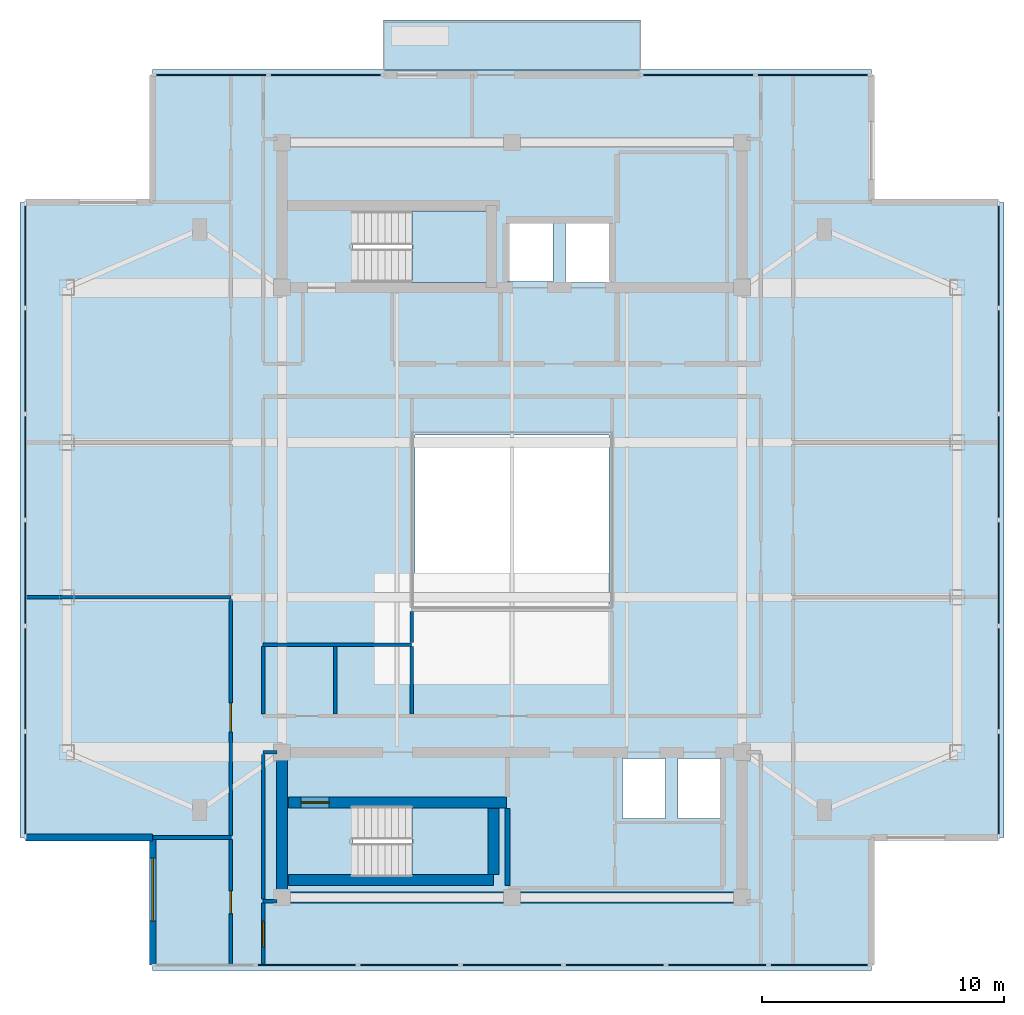
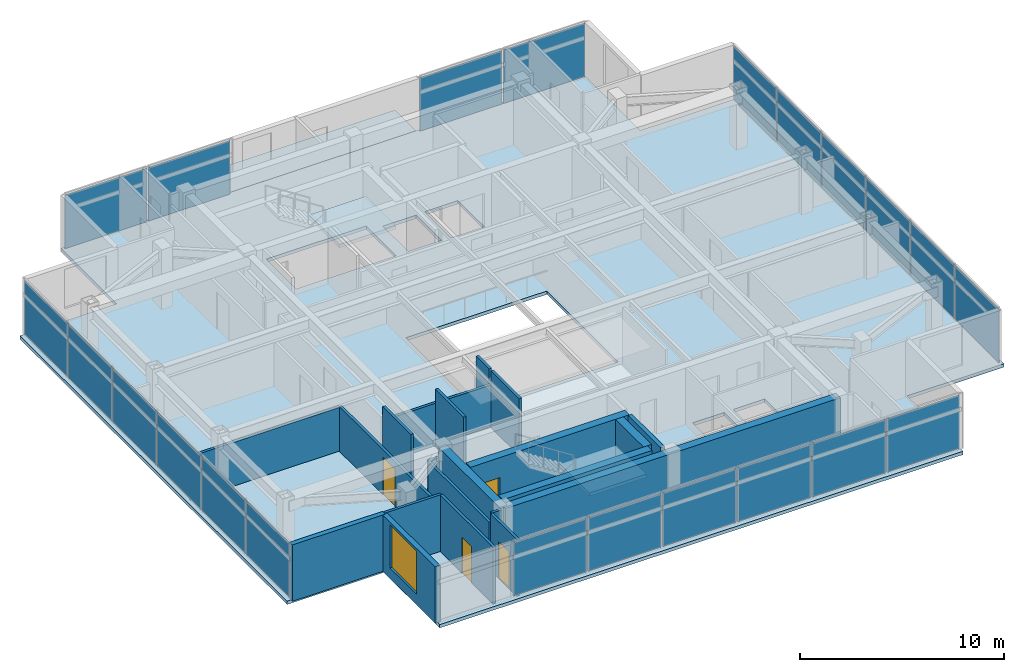
# One storey, part 5 of 12: 22 plates, 21 walls, 4 doors, 4 slabs, 1 window, 5 openings, 7 elements without a shape of their own.
"""IFC4 building model written with IfcOpenShell, lengths in metres."""

from ifc_helpers import new_model, si_unit, direction, frame, frame_2d, origin, origin_2d, place, context, subcontext, project, spatial, polyline, rectangle, outline, extrude, material, layer, layer_set, type_object, element, fill, aggregate, save


model = new_model("IFC4")

# Units and contexts
model_context = context("Model", 3, precision=1e-05, world=origin(), true_north=direction((0.0, 1.0)))
body_context = subcontext(model_context, "Body", "Model", "MODEL_VIEW")
ifc_project = project(units=[si_unit("LENGTHUNIT", "METRE"), si_unit("AREAUNIT", "SQUARE_METRE"), si_unit("VOLUMEUNIT", "CUBIC_METRE"), si_unit("PLANEANGLEUNIT", "RADIAN"), si_unit("MASSUNIT", "GRAM", prefix="KILO")], contexts=[model_context])

# Site, building, storey
site_placement = place(None, origin())
site = spatial("IfcSite", under=ifc_project, at=site_placement, CompositionType="ELEMENT")
building_placement = place(site_placement, origin())
building = spatial("IfcBuilding", under=site, at=building_placement, Name="Mirazonda Arch Towers", CompositionType="ELEMENT")
storey_placement = place(building_placement, frame((0.0, 0.0, 252.699951171875)))
storey = spatial("IfcBuildingStorey", under=building, at=storey_placement, Name="L72", CompositionType="ELEMENT", Elevation=252.699951171875)

# Curtain wall, plates
ifc_material_1 = material(Name="Anodised Aluminium and Low-E Glass", Category="aluminium")
curtain_wall_type = type_object("IfcCurtainWallType", Name="CW-OBS-LANTERN", PredefinedType="NOTDEFINED", material=ifc_material_1)
curtain_wall_1_placement = place(storey_placement, origin())
curtain_wall_1 = element("IfcCurtainWall", 1, at=curtain_wall_1_placement, inside=storey, type_object=curtain_wall_type, Name="L72 T1 S Facade CW-L72-T1-S", PredefinedType="NOTDEFINED")
ifc_material_2 = material(Name="Insulated Low-E Solar Glass", Category="glass")
ifc_layer_1 = layer(ifc_material_2, 0.048095703125, Name="PAN-CW-OBS-LANTERN")
ifc_layer_set_1 = layer_set([ifc_layer_1], Name="Insulated Low-E Solar Glass")
plate_type = type_object("IfcPlateType", Name="PAN-CW-OBS-LANTERN", PredefinedType="CURTAIN_PANEL", material=ifc_layer_set_1)
plate_1_placement = place(storey_placement, frame((33.201904296875, 9.612060546875, 0.08984375), z_axis=(0.0, 0.0, 1.0), x_axis=(-1.0, 0.0, 0.0)))
plate_1 = element("IfcPlate", 2, at=plate_1_placement, type_object=plate_type, Name="CW-110 panel 1.1", PredefinedType="CURTAIN_PANEL", context=body_context, shape_type="SweptSolid", body=[
    extrude(rectangle(XDim=4.1064453125, YDim=0.048095703125, at=origin_2d()), origin(), (0.0, 0.0, 1.0), 3.199951171875),
])
plate_2_placement = place(storey_placement, frame((28.98291015625, 9.612060546875, 0.08984375), z_axis=(0.0, 0.0, 1.0), x_axis=(-1.0, 0.0, 0.0)))
plate_2 = element("IfcPlate", 3, at=plate_2_placement, type_object=plate_type, Name="CW-110 panel 2.1", PredefinedType="CURTAIN_PANEL", context=body_context, shape_type="SweptSolid", body=[
    extrude(rectangle(XDim=4.1513671875, YDim=0.048095703125, at=origin_2d()), origin(), (0.0, 0.0, 1.0), 3.199951171875),
])
plate_3_placement = place(storey_placement, frame((24.741455078125, 9.612060546875, 0.08984375), z_axis=(0.0, 0.0, 1.0), x_axis=(-1.0, 0.0, 0.0)))
plate_3 = element("IfcPlate", 4, at=plate_3_placement, type_object=plate_type, Name="CW-110 panel 3.1", PredefinedType="CURTAIN_PANEL", context=body_context, shape_type="SweptSolid", body=[
    extrude(rectangle(XDim=4.1513671875, YDim=0.048095703125, at=origin_2d()), origin(), (0.0, 0.0, 1.0), 3.199951171875),
])
plate_4_placement = place(storey_placement, frame((20.5, 9.612060546875, 0.08984375), z_axis=(0.0, 0.0, 1.0), x_axis=(-1.0, 0.0, 0.0)))
plate_4 = element("IfcPlate", 5, at=plate_4_placement, type_object=plate_type, Name="CW-110 panel 4.1", PredefinedType="CURTAIN_PANEL", context=body_context, shape_type="SweptSolid", body=[
    extrude(rectangle(XDim=4.1513671875, YDim=0.048095703125, at=origin_2d()), origin(), (0.0, 0.0, 1.0), 3.199951171875),
])
plate_5_placement = place(storey_placement, frame((16.258544921875, 9.612060546875, 0.08984375), z_axis=(0.0, 0.0, 1.0), x_axis=(-1.0, 0.0, 0.0)))
plate_5 = element("IfcPlate", 6, at=plate_5_placement, type_object=plate_type, Name="CW-110 panel 5.1", PredefinedType="CURTAIN_PANEL", context=body_context, shape_type="SweptSolid", body=[
    extrude(rectangle(XDim=4.1513671875, YDim=0.048095703125, at=origin_2d()), origin(), (0.0, 0.0, 1.0), 3.199951171875),
])
plate_6_placement = place(storey_placement, frame((12.01708984375, 9.612060546875, 0.08984375), z_axis=(0.0, 0.0, 1.0), x_axis=(-1.0, 0.0, 0.0)))
plate_6 = element("IfcPlate", 7, at=plate_6_placement, type_object=plate_type, Name="CW-110 panel 6.1", PredefinedType="CURTAIN_PANEL", context=body_context, shape_type="SweptSolid", body=[
    extrude(rectangle(XDim=4.1513671875, YDim=0.048095703125, at=origin_2d()), origin(), (0.0, 0.0, 1.0), 3.199951171875),
])
aggregate(curtain_wall_1, [plate_1, plate_2, plate_3, plate_4, plate_5, plate_6])

curtain_wall_2_placement = place(storey_placement, origin())
curtain_wall_2 = element("IfcCurtainWall", 8, at=curtain_wall_2_placement, inside=storey, type_object=curtain_wall_type, Name="L72 T1 E Facade CW-L72-T1-E", PredefinedType="NOTDEFINED")
plate_7_placement = place(storey_placement, frame((40.610107421875, 17.086669921875, 0.08984375), z_axis=(0.0, 0.0, 1.0), x_axis=(0.0, 1.0, 0.0)))
plate_7 = element("IfcPlate", 9, at=plate_7_placement, type_object=plate_type, Name="CW-110 panel 1.1", PredefinedType="CURTAIN_PANEL", context=body_context, shape_type="SweptSolid", body=[
    extrude(rectangle(XDim=4.2392578125, YDim=0.048095703125, at=origin_2d()), origin(), (0.0, 0.0, 1.0), 3.199951171875),
])
plate_8_placement = place(storey_placement, frame((40.610107421875, 21.4384765625, 0.08984375), z_axis=(0.0, 0.0, 1.0), x_axis=(0.0, 1.0, 0.0)))
plate_8 = element("IfcPlate", 10, at=plate_8_placement, type_object=plate_type, Name="CW-110 panel 2.1", PredefinedType="CURTAIN_PANEL", context=body_context, shape_type="SweptSolid", body=[
    extrude(rectangle(XDim=4.284423828125, YDim=0.048095703125, at=origin_2d()), origin(), (0.0, 0.0, 1.0), 3.199951171875),
])
plate_9_placement = place(storey_placement, frame((40.610107421875, 25.812744140625, 0.08984375), z_axis=(0.0, 0.0, 1.0), x_axis=(0.0, 1.0, 0.0)))
plate_9 = element("IfcPlate", 11, at=plate_9_placement, type_object=plate_type, Name="CW-110 panel 3.1", PredefinedType="CURTAIN_PANEL", context=body_context, shape_type="SweptSolid", body=[
    extrude(rectangle(XDim=4.284423828125, YDim=0.048095703125, at=origin_2d()), origin(), (0.0, 0.0, 1.0), 3.199951171875),
])
plate_10_placement = place(storey_placement, frame((40.610107421875, 30.187255859375, 0.08984375), z_axis=(0.0, 0.0, 1.0), x_axis=(0.0, 1.0, 0.0)))
plate_10 = element("IfcPlate", 12, at=plate_10_placement, type_object=plate_type, Name="CW-110 panel 4.1", PredefinedType="CURTAIN_PANEL", context=body_context, shape_type="SweptSolid", body=[
    extrude(rectangle(XDim=4.284423828125, YDim=0.048095703125, at=origin_2d()), origin(), (0.0, 0.0, 1.0), 3.199951171875),
])
plate_11_placement = place(storey_placement, frame((40.610107421875, 34.5615234375, 0.08984375), z_axis=(0.0, 0.0, 1.0), x_axis=(0.0, 1.0, 0.0)))
plate_11 = element("IfcPlate", 13, at=plate_11_placement, type_object=plate_type, Name="CW-110 panel 5.1", PredefinedType="CURTAIN_PANEL", context=body_context, shape_type="SweptSolid", body=[
    extrude(rectangle(XDim=4.284423828125, YDim=0.048095703125, at=origin_2d()), origin(), (0.0, 0.0, 1.0), 3.199951171875),
])
plate_12_placement = place(storey_placement, frame((40.610107421875, 38.913330078125, 0.08984375), z_axis=(0.0, 0.0, 1.0), x_axis=(0.0, 1.0, 0.0)))
plate_12 = element("IfcPlate", 14, at=plate_12_placement, type_object=plate_type, Name="CW-110 panel 6.1", PredefinedType="CURTAIN_PANEL", context=body_context, shape_type="SweptSolid", body=[
    extrude(rectangle(XDim=4.2392578125, YDim=0.048095703125, at=origin_2d()), origin(), (0.0, 0.0, 1.0), 3.199951171875),
])
aggregate(curtain_wall_2, [plate_7, plate_8, plate_9, plate_10, plate_11, plate_12])

curtain_wall_3_placement = place(storey_placement, origin())
curtain_wall_3 = element("IfcCurtainWall", 15, at=curtain_wall_3_placement, inside=storey, type_object=curtain_wall_type, Name="L72 Curtain Wall CW-L72-T1-NA", PredefinedType="NOTDEFINED")
plate_13_placement = place(storey_placement, frame((8.066162109375, 46.387939453125, 0.08984375), z_axis=(0.0, 0.0, 1.0), x_axis=(1.0, 0.0, 0.0)))
plate_13 = element("IfcPlate", 16, at=plate_13_placement, type_object=plate_type, Name="CW-110 panel 1.1", PredefinedType="CURTAIN_PANEL", context=body_context, shape_type="SweptSolid", body=[
    extrude(rectangle(XDim=4.642578125, YDim=0.048095703125, at=origin_2d()), origin(), (0.0, 0.0, 1.0), 3.199951171875),
])
plate_14_placement = place(storey_placement, frame((12.798828125, 46.387939453125, 0.08984375), z_axis=(0.0, 0.0, 1.0), x_axis=(1.0, 0.0, 0.0)))
plate_14 = element("IfcPlate", 17, at=plate_14_placement, type_object=plate_type, Name="CW-110 panel 2.1", PredefinedType="CURTAIN_PANEL", context=body_context, shape_type="SweptSolid", body=[
    extrude(rectangle(XDim=4.642578125, YDim=0.048095703125, at=origin_2d()), origin(), (0.0, 0.0, 1.0), 3.199951171875),
])
aggregate(curtain_wall_3, [plate_13, plate_14])

curtain_wall_4_placement = place(storey_placement, origin())
curtain_wall_4 = element("IfcCurtainWall", 18, at=curtain_wall_4_placement, inside=storey, type_object=curtain_wall_type, Name="L72 Curtain Wall CW-L72-T1-NB", PredefinedType="NOTDEFINED")
plate_15_placement = place(storey_placement, frame((28.201171875, 46.387939453125, 0.08984375), z_axis=(0.0, 0.0, 1.0), x_axis=(1.0, 0.0, 0.0)))
plate_15 = element("IfcPlate", 19, at=plate_15_placement, type_object=plate_type, Name="CW-110 panel 1.1", PredefinedType="CURTAIN_PANEL", context=body_context, shape_type="SweptSolid", body=[
    extrude(rectangle(XDim=4.642578125, YDim=0.048095703125, at=origin_2d()), origin(), (0.0, 0.0, 1.0), 3.199951171875),
])
plate_16_placement = place(storey_placement, frame((32.933837890625, 46.387939453125, 0.08984375), z_axis=(0.0, 0.0, 1.0), x_axis=(1.0, 0.0, 0.0)))
plate_16 = element("IfcPlate", 20, at=plate_16_placement, type_object=plate_type, Name="CW-110 panel 2.1", PredefinedType="CURTAIN_PANEL", context=body_context, shape_type="SweptSolid", body=[
    extrude(rectangle(XDim=4.642578125, YDim=0.048095703125, at=origin_2d()), origin(), (0.0, 0.0, 1.0), 3.199951171875),
])
aggregate(curtain_wall_4, [plate_15, plate_16])

curtain_wall_5_placement = place(storey_placement, origin())
curtain_wall_5 = element("IfcCurtainWall", 21, at=curtain_wall_5_placement, inside=storey, type_object=curtain_wall_type, Name="L72 T1 W Facade CW-L72-T1-W", PredefinedType="NOTDEFINED")
plate_17_placement = place(storey_placement, frame((0.389892578125, 38.913330078125, 0.08984375), z_axis=(0.0, 0.0, 1.0), x_axis=(0.0, -1.0, 0.0)))
plate_17 = element("IfcPlate", 22, at=plate_17_placement, type_object=plate_type, Name="CW-110 panel 1.1", PredefinedType="CURTAIN_PANEL", context=body_context, shape_type="SweptSolid", body=[
    extrude(rectangle(XDim=4.2392578125, YDim=0.048095703125, at=origin_2d()), origin(), (0.0, 0.0, 1.0), 3.199951171875),
])
plate_18_placement = place(storey_placement, frame((0.389892578125, 34.5615234375, 0.08984375), z_axis=(0.0, 0.0, 1.0), x_axis=(0.0, -1.0, 0.0)))
plate_18 = element("IfcPlate", 23, at=plate_18_placement, type_object=plate_type, Name="CW-110 panel 2.1", PredefinedType="CURTAIN_PANEL", context=body_context, shape_type="SweptSolid", body=[
    extrude(rectangle(XDim=4.284423828125, YDim=0.048095703125, at=origin_2d()), origin(), (0.0, 0.0, 1.0), 3.199951171875),
])
plate_19_placement = place(storey_placement, frame((0.389892578125, 30.187255859375, 0.08984375), z_axis=(0.0, 0.0, 1.0), x_axis=(0.0, -1.0, 0.0)))
plate_19 = element("IfcPlate", 24, at=plate_19_placement, type_object=plate_type, Name="CW-110 panel 3.1", PredefinedType="CURTAIN_PANEL", context=body_context, shape_type="SweptSolid", body=[
    extrude(rectangle(XDim=4.284423828125, YDim=0.048095703125, at=origin_2d()), origin(), (0.0, 0.0, 1.0), 3.199951171875),
])
plate_20_placement = place(storey_placement, frame((0.389892578125, 25.812744140625, 0.08984375), z_axis=(0.0, 0.0, 1.0), x_axis=(0.0, -1.0, 0.0)))
plate_20 = element("IfcPlate", 25, at=plate_20_placement, type_object=plate_type, Name="CW-110 panel 4.1", PredefinedType="CURTAIN_PANEL", context=body_context, shape_type="SweptSolid", body=[
    extrude(rectangle(XDim=4.284423828125, YDim=0.048095703125, at=origin_2d()), origin(), (0.0, 0.0, 1.0), 3.199951171875),
])
plate_21_placement = place(storey_placement, frame((0.389892578125, 21.4384765625, 0.08984375), z_axis=(0.0, 0.0, 1.0), x_axis=(0.0, -1.0, 0.0)))
plate_21 = element("IfcPlate", 26, at=plate_21_placement, type_object=plate_type, Name="CW-110 panel 5.1", PredefinedType="CURTAIN_PANEL", context=body_context, shape_type="SweptSolid", body=[
    extrude(rectangle(XDim=4.284423828125, YDim=0.048095703125, at=origin_2d()), origin(), (0.0, 0.0, 1.0), 3.199951171875),
])
plate_22_placement = place(storey_placement, frame((0.389892578125, 17.086669921875, 0.08984375), z_axis=(0.0, 0.0, 1.0), x_axis=(0.0, -1.0, 0.0)))
plate_22 = element("IfcPlate", 27, at=plate_22_placement, type_object=plate_type, Name="CW-110 panel 6.1", PredefinedType="CURTAIN_PANEL", context=body_context, shape_type="SweptSolid", body=[
    extrude(rectangle(XDim=4.2392578125, YDim=0.048095703125, at=origin_2d()), origin(), (0.0, 0.0, 1.0), 3.199951171875),
])
aggregate(curtain_wall_5, [plate_17, plate_18, plate_19, plate_20, plate_21, plate_22])

# Stair, slab
ifc_material_3 = material(Name="Concrete C40/50", Category="concrete")
stair_type = type_object("IfcStairType", Name="STAIR-CORE-1400", PredefinedType="HALF_TURN_STAIR", material=ifc_material_3)
stair_1_placement = place(storey_placement, origin())
stair_1 = element("IfcStair", 28, at=stair_1_placement, inside=storey, type_object=stair_type, Name="L72 Protected Exit Stair ST-T1N", PredefinedType="HALF_TURN_STAIR")
ifc_layer_2 = layer(ifc_material_3, 0.18994140625, Name="SLAB-LANDING-190")
ifc_layer_set_2 = layer_set([ifc_layer_2], Name="Concrete C40/50")
slab_type_1 = type_object("IfcSlabType", Name="SLAB-LANDING-190", PredefinedType="LANDING", material=ifc_layer_set_2)
slab_1_placement = place(storey_placement, frame((0.0, 0.0, 1.60009765625)))
slab_1 = element("IfcSlab", 29, at=slab_1_placement, type_object=slab_type_1, Name="ST-T1N landing 1", PredefinedType="LANDING", context=body_context, shape_type="SweptSolid", body=[
    extrude(outline(polyline([(16.3701171875, 37.820068359375), (19.60009765625, 37.820068359375), (19.60009765625, 40.760009765625), (16.3701171875, 40.760009765625), (16.3701171875, 37.820068359375)])), origin(), (0.0, 0.0, 1.0), 0.199951171875),
])
aggregate(stair_1, [slab_1])

stair_2_placement = place(storey_placement, origin())
stair_2 = element("IfcStair", 30, at=stair_2_placement, inside=storey, type_object=stair_type, Name="L72 Protected Exit Stair ST-T1S", PredefinedType="HALF_TURN_STAIR")
slab_2_placement = place(storey_placement, frame((0.0, 0.0, 1.60009765625)))
slab_2 = element("IfcSlab", 31, at=slab_2_placement, type_object=slab_type_1, Name="ST-T1S landing 1", PredefinedType="LANDING", context=body_context, shape_type="SweptSolid", body=[
    extrude(outline(polyline([(16.3701171875, 13.25), (19.60009765625, 13.25), (19.60009765625, 16.18994140625), (16.3701171875, 16.18994140625), (16.3701171875, 13.25)])), origin(), (0.0, 0.0, 1.0), 0.199951171875),
])
aggregate(stair_2, [slab_2])

# Slabs
ifc_layer_3 = layer(ifc_material_3, 0.2099609375, Name="SLAB-TERRACE-210")
ifc_layer_set_3 = layer_set([ifc_layer_3], Name="Concrete C40/50")
slab_type_2 = type_object("IfcSlabType", Name="SLAB-TERRACE-210", PredefinedType="FLOOR", material=ifc_layer_set_3)
slab_3_placement = place(storey_placement, frame((0.0, 0.0, -0.2099609375)))
element("IfcSlab", 32, at=slab_3_placement, inside=storey, type_object=slab_type_2, Name="L72 T1 Spiralling Sky-Terrace Balcony Slab", PredefinedType="FLOOR", context=body_context, shape_type="SweptSolid", body=[
    extrude(outline(polyline([(15.199951171875, 46.597900390625), (25.800048828125, 46.597900390625), (25.800048828125, 48.657958984375), (15.199951171875, 48.657958984375), (15.199951171875, 46.597900390625)])), origin(), (0.0, 0.0, 1.0), 0.2099609375),
])
ifc_layer_4 = layer(ifc_material_3, 0.199951171875, Name="SLAB-TWR-200")
ifc_layer_set_4 = layer_set([ifc_layer_4], Name="Concrete C40/50")
slab_type_3 = type_object("IfcSlabType", Name="SLAB-TWR-200", PredefinedType="FLOOR", material=ifc_layer_set_4)
slab_4_placement = place(storey_placement, frame((0.0, 0.0, -0.199951171875)))
element("IfcSlab", 33, at=slab_4_placement, inside=storey, type_object=slab_type_3, Name="L72 Tower 1 Floor Slab", PredefinedType="FLOOR", context=body_context, shape_type="SweptSolid", body=[
    extrude(outline(polyline([(5.655029296875, 9.39208984375), (35.344970703125, 9.39208984375), (35.344970703125, 14.876953125), (40.830078125, 14.876953125), (40.830078125, 41.123046875), (35.344970703125, 41.123046875), (35.344970703125, 46.60791015625), (5.655029296875, 46.60791015625), (5.655029296875, 41.123046875), (0.169921875, 41.123046875), (0.169921875, 14.876953125), (5.655029296875, 14.876953125), (5.655029296875, 9.39208984375)]), holes=[polyline([(27.360107421875, 18.139892578125), (29.139892578125, 18.139892578125), (29.139892578125, 15.659912109375), (27.360107421875, 15.659912109375), (27.360107421875, 18.139892578125)]), polyline([(25.06005859375, 18.139892578125), (26.840087890625, 18.139892578125), (26.840087890625, 15.659912109375), (25.06005859375, 15.659912109375), (25.06005859375, 18.139892578125)]), polyline([(22.7099609375, 40.389892578125), (24.590087890625, 40.389892578125), (24.590087890625, 37.81005859375), (22.7099609375, 37.81005859375), (22.7099609375, 40.389892578125)]), polyline([(16.5, 31.5), (24.5, 31.5), (24.5, 24.5), (16.5, 24.5), (16.5, 31.5)]), polyline([(20.31005859375, 40.340087890625), (22.18994140625, 40.340087890625), (22.18994140625, 37.860107421875), (20.31005859375, 37.860107421875), (20.31005859375, 40.340087890625)]), polyline([(19.60009765625, 13.25), (13.925048828125, 13.25), (13.925048828125, 16.18994140625), (19.60009765625, 16.18994140625), (19.60009765625, 13.25)]), polyline([(13.925048828125, 37.820068359375), (13.925048828125, 40.760009765625), (19.60009765625, 40.760009765625), (19.60009765625, 37.820068359375), (13.925048828125, 37.820068359375)])]), origin(), (0.0, 0.0, 1.0), 0.199951171875),
])

# Walls
ifc_material_4 = material(Name="Concrete C50/60", Category="concrete")
ifc_layer_5 = layer(ifc_material_4, 0.449951171875, Name="WALL-CORE-450")
ifc_layer_set_5 = layer_set([ifc_layer_5], Name="Concrete C50/60")
wall_type_1 = type_object("IfcWallType", Name="WALL-CORE-450", PredefinedType="SHEAR", material=ifc_layer_set_5)
wall_1_placement = place(storey_placement, frame((11.0, 12.39990234375, 0.0), z_axis=(0.0, 0.0, 1.0), x_axis=(1.0, 0.0, 0.0)))
element("IfcWall", 34, at=wall_1_placement, inside=storey, type_object=wall_type_1, Name="L72 T1S-S Core Shear Wall", PredefinedType="SHEAR", context=body_context, shape_type="SweptSolid", body=[
    extrude(rectangle(XDim=19.0, YDim=0.449951171875, at=frame_2d((9.5, 0.0))), origin(), (0.0, 0.0, 1.0), 3.400146484375),
])
wall_2_placement = place(storey_placement, frame((11.0, 12.39990234375, 0.0), z_axis=(0.0, 0.0, 1.0), x_axis=(0.0, 1.0, 0.0)))
element("IfcWall", 35, at=wall_2_placement, inside=storey, type_object=wall_type_1, Name="L72 T1S-W Core Shear Wall", PredefinedType="SHEAR", context=body_context, shape_type="SweptSolid", body=[
    extrude(rectangle(XDim=6.0, YDim=0.449951171875, at=frame_2d((3.0, 0.0))), origin(), (0.0, 0.0, 1.0), 3.400146484375),
])
wall_3_placement = place(storey_placement, frame((11.27001953125, 13.1201171875, 0.0), z_axis=(0.0, 0.0, 1.0), x_axis=(1.0, 0.0, 0.0)))
element("IfcWall", 36, at=wall_3_placement, inside=storey, type_object=wall_type_1, Name="L72 Stair Core Shear Wall 004", PredefinedType="SHEAR", context=body_context, shape_type="SweptSolid", body=[
    extrude(rectangle(XDim=8.4599609375, YDim=0.449951171875, at=frame_2d((4.22998046875, 0.0))), origin(), (0.0, 0.0, 1.0), 3.400146484375),
])

# Wall, opening, door
wall_4_placement = place(storey_placement, frame((11.27001953125, 16.320068359375, 0.0), z_axis=(0.0, 0.0, 1.0), x_axis=(1.0, 0.0, 0.0)))
wall_4 = element("IfcWall", 37, at=wall_4_placement, inside=storey, type_object=wall_type_1, Name="L72 Stair Core Shear Wall 008", PredefinedType="SHEAR", context=body_context, shape_type="SweptSolid", body=[
    extrude(rectangle(XDim=9.010009765625, YDim=0.449951171875, at=frame_2d((4.5048828125, 0.0))), origin(), (0.0, 0.0, 1.0), 3.400146484375),
])
opening_1_placement = place(wall_4_placement, frame((0.52001953125, 0.0, 0.0)))
opening_1 = element("IfcOpeningElement", 38, at=opening_1_placement, cuts=wall_4, Name="Opening DR-135", PredefinedType="OPENING", context=body_context, shape_type="SweptSolid", body=[
    extrude(rectangle(XDim=1.14990234375, YDim=2.199951171875, at=frame_2d((0.574951171875, 1.10009765625))), frame((0.0, 0.23486328125, 0.0), z_axis=(0.0, -1.0, 0.0), x_axis=(1.0, 0.0, 0.0)), (0.0, 0.0, 1.0), 0.469970703125),
])
ifc_material_5 = material(Name="Architectural Brushed Steel S355", Category="steel")
door_type_1 = type_object("IfcDoorType", Name="DOOR-STAIR-FD90-1150", OperationType="NOTDEFINED", PredefinedType="DOOR", material=ifc_material_5)
door_1_placement = place(opening_1_placement, origin())
door_1 = element("IfcDoor", 39, at=door_1_placement, inside=storey, type_object=door_type_1, Name="L72 Protected Exit Stair South Door", OperationType="SINGLE_SWING_LEFT", OverallHeight=2.199951171875, OverallWidth=1.14990234375, PredefinedType="DOOR", context=body_context, shape_type="SweptSolid", body=[
    extrude(rectangle(XDim=1.14990234375, YDim=2.199951171875, at=frame_2d((0.574951171875, 1.10009765625))), frame((0.0, 0.02490234375, 0.0), z_axis=(0.0, -1.0, 0.0), x_axis=(1.0, 0.0, 0.0)), (0.0, 0.0, 1.0), 0.050048828125),
])
fill(opening_1, door_1)

# Wall
wall_5_placement = place(storey_placement, frame((19.72998046875, 13.35498046875, 0.0), z_axis=(0.0, 0.0, 1.0), x_axis=(0.0, 1.0, 0.0)))
element("IfcWall", 40, at=wall_5_placement, inside=storey, type_object=wall_type_1, Name="L72 Stair Core Shear Wall 045", PredefinedType="SHEAR", context=body_context, shape_type="SweptSolid", body=[
    extrude(rectangle(XDim=2.72998046875, YDim=0.449951171875, at=frame_2d((1.364990234375, 0.0))), origin(), (0.0, 0.0, 1.0), 3.400146484375),
])

# Wall, opening, window
ifc_material_6 = material(Name="Precast Concrete C40/50", Category="concrete")
ifc_layer_6 = layer(ifc_material_6, 0.280029296875, Name="WALL-EXT-WALL-280")
ifc_layer_set_6 = layer_set([ifc_layer_6], Name="Precast Concrete C40/50")
wall_type_2 = type_object("IfcWallType", Name="WALL-EXT-WALL-280", PredefinedType="SOLIDWALL", material=ifc_layer_set_6)
wall_6_placement = place(storey_placement, frame((5.655029296875, 14.876953125, 0.0), z_axis=(0.0, 0.0, 1.0), x_axis=(0.0, -1.0, 0.0)))
wall_6 = element("IfcWall", 41, at=wall_6_placement, inside=storey, type_object=wall_type_2, Name="L72 T1 Notched SW Corner Wall WL-L72-T1-CSW", PredefinedType="SOLIDWALL", context=body_context, shape_type="SweptSolid", body=[
    extrude(rectangle(XDim=5.264892578125, YDim=0.280029296875, at=frame_2d((2.63232421875, 0.0))), origin(), (0.0, 0.0, 1.0), 3.380126953125),
])
opening_2_placement = place(wall_6_placement, frame((0.85009765625, 0.0, 0.6298828125)))
opening_2 = element("IfcOpeningElement", 42, at=opening_2_placement, cuts=wall_6, Name="Opening WN-102", PredefinedType="OPENING", context=body_context, shape_type="SweptSolid", body=[
    extrude(rectangle(XDim=2.60009765625, YDim=2.60009765625, at=frame_2d((1.300048828125, 1.300048828125))), frame((0.0, 0.14990234375, 0.0), z_axis=(0.0, -1.0, 0.0), x_axis=(1.0, 0.0, 0.0)), (0.0, 0.0, 1.0), 0.300048828125),
])
window_type = type_object("IfcWindowType", Name="WIN-OBS-2600x2600", PartitioningType="SINGLE_PANEL", PredefinedType="WINDOW", material=ifc_material_2)
window_placement = place(opening_2_placement, origin())
window = element("IfcWindow", 43, at=window_placement, inside=storey, type_object=window_type, Name="L72 Punched Facade Window WN-L72-T1-CSW", OverallHeight=2.60009765625, OverallWidth=2.60009765625, PartitioningType="SINGLE_PANEL", PredefinedType="WINDOW", context=body_context, shape_type="SweptSolid", body=[
    extrude(rectangle(XDim=2.60009765625, YDim=2.60009765625, at=frame_2d((1.300048828125, 1.300048828125))), frame((0.0, 0.030029296875, 0.0), z_axis=(0.0, -1.0, 0.0), x_axis=(1.0, 0.0, 0.0)), (0.0, 0.0, 1.0), 0.06005859375),
])
fill(opening_2, window)

# Walls
wall_7_placement = place(storey_placement, frame((0.389892578125, 14.876953125, 0.0), z_axis=(0.0, 0.0, 1.0), x_axis=(1.0, 0.0, 0.0)))
element("IfcWall", 44, at=wall_7_placement, inside=storey, type_object=wall_type_2, Name="L72 T1 Corner Notch Return Wall WL-L72-T1-CSW2", PredefinedType="SOLIDWALL", context=body_context, shape_type="SweptSolid", body=[
    extrude(rectangle(XDim=5.26513671875, YDim=0.280029296875, at=frame_2d((2.632568359375, 0.0))), origin(), (0.0, 0.0, 1.0), 3.380126953125),
])
ifc_layer_7 = layer(ifc_material_3, 0.219970703125, Name="WALL-FFL-220")
ifc_layer_set_7 = layer_set([ifc_layer_7], Name="Concrete C40/50")
wall_type_3 = type_object("IfcWallType", Name="WALL-FFL-220", PredefinedType="SOLIDWALL", material=ifc_layer_set_7)
wall_8_placement = place(storey_placement, frame((20.31494140625, 12.885009765625, 0.0), z_axis=(0.0, 0.0, 1.0), x_axis=(0.0, 1.0, 0.0)))
element("IfcWall", 45, at=wall_8_placement, inside=storey, type_object=wall_type_3, Name="L72 Interior Partition 047", PredefinedType="SOLIDWALL", context=body_context, shape_type="SweptSolid", body=[
    extrude(rectangle(XDim=3.199951171875, YDim=0.219970703125, at=frame_2d((1.60009765625, 0.0))), origin(), (0.0, 0.0, 1.0), 3.400146484375),
])
ifc_material_7 = material(Name="Fire-Rated Gypsum Stud Partition")
ifc_layer_8 = layer(ifc_material_7, 0.14990234375, Name="WALL-PART-CORR-150")
ifc_layer_set_8 = layer_set([ifc_layer_8], Name="Fire-Rated Gypsum Stud Partition")
wall_type_4 = type_object("IfcWallType", Name="WALL-PART-CORR-150", PredefinedType="PARTITIONING", material=ifc_layer_set_8)
wall_9_placement = place(storey_placement, frame((10.219970703125, 12.25, 0.0), z_axis=(0.0, 0.0, 1.0), x_axis=(1.0, 0.0, 0.0)))
element("IfcWall", 46, at=wall_9_placement, inside=storey, type_object=wall_type_4, Name="L72 Interior Partition 001", PredefinedType="PARTITIONING", context=body_context, shape_type="SweptSolid", body=[
    extrude(rectangle(XDim=0.56005859375, YDim=0.14990234375, at=frame_2d((0.280029296875, 0.0))), origin(), (0.0, 0.0, 1.0), 3.400146484375),
])
wall_10_placement = place(storey_placement, frame((5.675048828125, 14.876953125, 0.0), z_axis=(0.0, 0.0, 1.0), x_axis=(1.0, 0.0, 0.0)))
element("IfcWall", 47, at=wall_10_placement, inside=storey, type_object=wall_type_4, Name="L72 Interior Partition 005", PredefinedType="PARTITIONING", context=body_context, shape_type="SweptSolid", body=[
    extrude(rectangle(XDim=3.204833984375, YDim=0.14990234375, at=frame_2d((1.6025390625, 0.0))), origin(), (0.0, 0.0, 1.0), 3.400146484375),
])
wall_11_placement = place(storey_placement, frame((10.219970703125, 18.39990234375, 0.0), z_axis=(0.0, 0.0, 1.0), x_axis=(1.0, 0.0, 0.0)))
element("IfcWall", 48, at=wall_11_placement, inside=storey, type_object=wall_type_4, Name="L72 Interior Partition 009", PredefinedType="PARTITIONING", context=body_context, shape_type="SweptSolid", body=[
    extrude(rectangle(XDim=0.56005859375, YDim=0.14990234375, at=frame_2d((0.280029296875, 0.0))), origin(), (0.0, 0.0, 1.0), 2.7919921875),
])
wall_12_placement = place(storey_placement, frame((10.219970703125, 22.85009765625, 0.0), z_axis=(0.0, 0.0, 1.0), x_axis=(1.0, 0.0, 0.0)))
element("IfcWall", 49, at=wall_12_placement, inside=storey, type_object=wall_type_4, Name="L72 Interior Partition 012", PredefinedType="PARTITIONING", context=body_context, shape_type="SweptSolid", body=[
    extrude(rectangle(XDim=6.130126953125, YDim=0.14990234375, at=frame_2d((3.06494140625, 0.0))), origin(), (0.0, 0.0, 1.0), 2.5361328125),
])
wall_13_placement = place(storey_placement, frame((0.389892578125, 24.800048828125, 0.0), z_axis=(0.0, 0.0, 1.0), x_axis=(1.0, 0.0, 0.0)))
element("IfcWall", 50, at=wall_13_placement, inside=storey, type_object=wall_type_4, Name="L72 Interior Partition 014", PredefinedType="PARTITIONING", context=body_context, shape_type="SweptSolid", body=[
    extrude(rectangle(XDim=8.489990234375, YDim=0.14990234375, at=frame_2d((4.2451171875, 0.0))), origin(), (0.0, 0.0, 1.0), 2.619140625),
])

# Wall, opening, door
wall_14_placement = place(storey_placement, frame((8.8798828125, 9.612060546875, 0.0), z_axis=(0.0, 0.0, 1.0), x_axis=(0.0, 1.0, 0.0)))
wall_14 = element("IfcWall", 51, at=wall_14_placement, inside=storey, type_object=wall_type_4, Name="L72 Interior Partition 027", PredefinedType="PARTITIONING", context=body_context, shape_type="SweptSolid", body=[
    extrude(rectangle(XDim=5.179931640625, YDim=0.14990234375, at=frame_2d((2.58984375, 0.0))), origin(), (0.0, 0.0, 1.0), 3.400146484375),
])
opening_3_placement = place(wall_14_placement, frame((2.114990234375, 0.0, 0.0)))
opening_3 = element("IfcOpeningElement", 52, at=opening_3_placement, cuts=wall_14, Name="Opening DR-104", PredefinedType="OPENING", context=body_context, shape_type="SweptSolid", body=[
    extrude(rectangle(XDim=0.949951171875, YDim=2.14990234375, at=frame_2d((0.47509765625, 1.074951171875))), frame((0.0, 0.0849609375, 0.0), z_axis=(0.0, -1.0, 0.0), x_axis=(1.0, 0.0, 0.0)), (0.0, 0.0, 1.0), 0.169921875),
])
door_type_2 = type_object("IfcDoorType", Name="DOOR-ROOM-950", OperationType="NOTDEFINED", PredefinedType="DOOR", material=ifc_material_5)
door_2_placement = place(opening_3_placement, origin())
door_2 = element("IfcDoor", 53, at=door_2_placement, inside=storey, type_object=door_type_2, Name="L72 South Lookout Salon Alcove West Door", OperationType="SINGLE_SWING_LEFT", OverallHeight=2.14990234375, OverallWidth=0.949951171875, PredefinedType="DOOR", context=body_context, shape_type="SweptSolid", body=[
    extrude(rectangle(XDim=0.949951171875, YDim=2.14990234375, at=frame_2d((0.47509765625, 1.074951171875))), frame((0.0, 0.02490234375, 0.0), z_axis=(0.0, -1.0, 0.0), x_axis=(1.0, 0.0, 0.0)), (0.0, 0.0, 1.0), 0.050048828125),
])
fill(opening_3, door_2)

wall_15_placement = place(storey_placement, frame((8.8798828125, 14.9619140625, 0.0), z_axis=(0.0, 0.0, 1.0), x_axis=(0.0, 1.0, 0.0)))
wall_15 = element("IfcWall", 54, at=wall_15_placement, inside=storey, type_object=wall_type_4, Name="L72 Interior Partition 028", PredefinedType="PARTITIONING", context=body_context, shape_type="SweptSolid", body=[
    extrude(rectangle(XDim=9.753173828125, YDim=0.14990234375, at=frame_2d((4.87646484375, 0.0))), origin(), (0.0, 0.0, 1.0), 2.696044921875),
])
opening_4_placement = place(wall_15_placement, frame((4.276611328125, 0.0, 0.0)))
opening_4 = element("IfcOpeningElement", 55, at=opening_4_placement, cuts=wall_15, Name="Opening DR-117", PredefinedType="OPENING", context=body_context, shape_type="SweptSolid", body=[
    extrude(rectangle(XDim=1.199951171875, YDim=2.25, at=frame_2d((0.60009765625, 1.125))), frame((0.0, 0.0849609375, 0.0), z_axis=(0.0, -1.0, 0.0), x_axis=(1.0, 0.0, 0.0)), (0.0, 0.0, 1.0), 0.169921875),
])
door_type_3 = type_object("IfcDoorType", Name="DOOR-FFL-FD90-1200", OperationType="NOTDEFINED", PredefinedType="DOOR", material=ifc_material_5)
door_3_placement = place(opening_4_placement, origin())
door_3 = element("IfcDoor", 56, at=door_3_placement, inside=storey, type_object=door_type_3, Name="L72 Public Sky-Lookout & Observation Deck 1 Door", OperationType="SINGLE_SWING_LEFT", OverallHeight=2.25, OverallWidth=1.199951171875, PredefinedType="DOOR", context=body_context, shape_type="SweptSolid", body=[
    extrude(rectangle(XDim=1.199951171875, YDim=2.25, at=frame_2d((0.60009765625, 1.125))), frame((0.0, 0.02490234375, 0.0), z_axis=(0.0, -1.0, 0.0), x_axis=(1.0, 0.0, 0.0)), (0.0, 0.0, 1.0), 0.050048828125),
])
fill(opening_4, door_3)

wall_16_placement = place(storey_placement, frame((10.219970703125, 9.612060546875, 0.0), z_axis=(0.0, 0.0, 1.0), x_axis=(0.0, 1.0, 0.0)))
wall_16 = element("IfcWall", 57, at=wall_16_placement, inside=storey, type_object=wall_type_4, Name="L72 Interior Partition 032", PredefinedType="PARTITIONING", context=body_context, shape_type="SweptSolid", body=[
    extrude(rectangle(XDim=2.552978515625, YDim=0.14990234375, at=frame_2d((1.2763671875, 0.0))), origin(), (0.0, 0.0, 1.0), 3.400146484375),
])
opening_5_placement = place(wall_16_placement, frame((0.75146484375, 0.0, 0.0)))
opening_5 = element("IfcOpeningElement", 58, at=opening_5_placement, cuts=wall_16, Name="Opening DR-121", PredefinedType="OPENING", context=body_context, shape_type="SweptSolid", body=[
    extrude(rectangle(XDim=1.050048828125, YDim=2.199951171875, at=frame_2d((0.52490234375, 1.10009765625))), frame((0.0, 0.0849609375, 0.0), z_axis=(0.0, -1.0, 0.0), x_axis=(1.0, 0.0, 0.0)), (0.0, 0.0, 1.0), 0.169921875),
])
door_type_4 = type_object("IfcDoorType", Name="DOOR-SUITE-FD60-1050", OperationType="NOTDEFINED", PredefinedType="DOOR", material=ifc_material_5)
door_4_placement = place(opening_5_placement, origin())
door_4 = element("IfcDoor", 59, at=door_4_placement, inside=storey, type_object=door_type_4, Name="L72 South Lookout Salon Gallery Door", OperationType="SINGLE_SWING_RIGHT", OverallHeight=2.199951171875, OverallWidth=1.050048828125, PredefinedType="DOOR", context=body_context, shape_type="SweptSolid", body=[
    extrude(rectangle(XDim=1.050048828125, YDim=2.199951171875, at=frame_2d((0.52490234375, 1.10009765625))), frame((0.0, 0.02490234375, 0.0), z_axis=(0.0, -1.0, 0.0), x_axis=(1.0, 0.0, 0.0)), (0.0, 0.0, 1.0), 0.050048828125),
])
fill(opening_5, door_4)

# Walls
wall_17_placement = place(storey_placement, frame((10.219970703125, 12.3349609375, 0.0), z_axis=(0.0, 0.0, 1.0), x_axis=(0.0, 1.0, 0.0)))
element("IfcWall", 60, at=wall_17_placement, inside=storey, type_object=wall_type_4, Name="L72 Interior Partition 033", PredefinedType="PARTITIONING", context=body_context, shape_type="SweptSolid", body=[
    extrude(rectangle(XDim=5.97998046875, YDim=0.14990234375, at=frame_2d((2.989990234375, 0.0))), origin(), (0.0, 0.0, 1.0), 2.7919921875),
])
for number, where, z_axis, x_axis, name in (
    (61, (10.219970703125, 19.985107421875, 0.0), (0.0, 0.0, 1.0), (0.0, 1.0, 0.0), "L72 Interior Partition 034"),
    (62, (13.199951171875, 19.985107421875, 0.0), (0.0, 0.0, 1.0), (0.0, 1.0, 0.0), "L72 Interior Partition 039"),
    (63, (16.35009765625, 19.985107421875, 0.0), (0.0, 0.0, 1.0), (0.0, 1.0, 0.0), "L72 Interior Partition 041"),
):
    element("IfcWall", number, at=place(storey_placement, frame(where, z_axis=z_axis, x_axis=x_axis)), inside=storey, type_object=wall_type_4, Name=name, PredefinedType="PARTITIONING", context=body_context, shape_type="SweptSolid", body=[
        extrude(rectangle(XDim=2.77978515625, YDim=0.14990234375, at=frame_2d((1.389892578125, 0.0))), origin(), (0.0, 0.0, 1.0), 3.400146484375),
    ])
wall_18_placement = place(storey_placement, frame((16.35009765625, 22.93505859375, 0.0), z_axis=(0.0, 0.0, 1.0), x_axis=(0.0, 1.0, 0.0)))
element("IfcWall", 64, at=wall_18_placement, inside=storey, type_object=wall_type_4, Name="L72 Interior Partition 042", PredefinedType="PARTITIONING", context=body_context, shape_type="SweptSolid", body=[
    extrude(rectangle(XDim=1.280029296875, YDim=0.14990234375, at=frame_2d((0.64013671875, 0.0))), origin(), (0.0, 0.0, 1.0), 3.400146484375),
])

save(model, "model.ifc")
